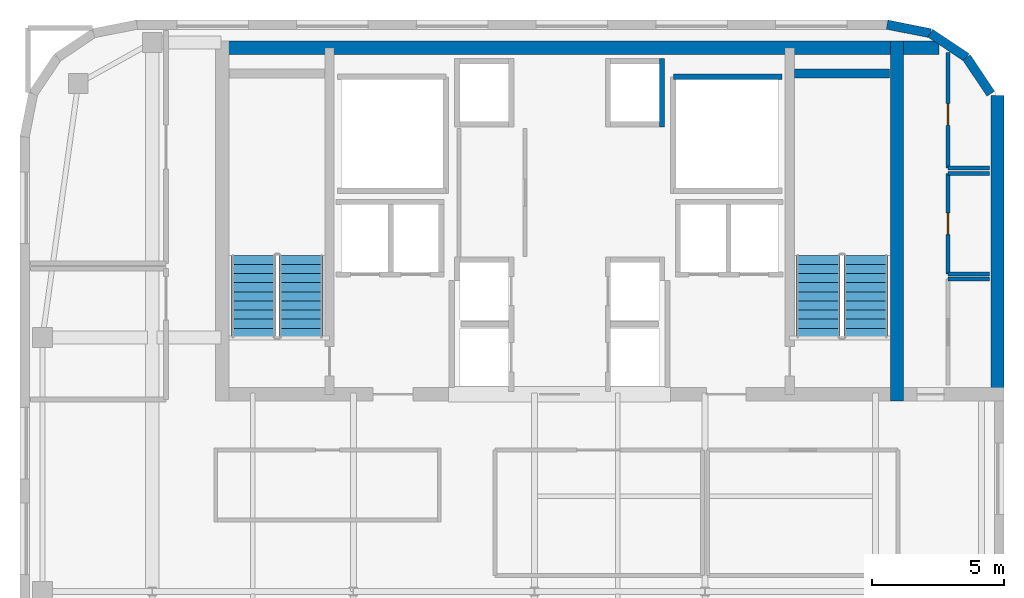
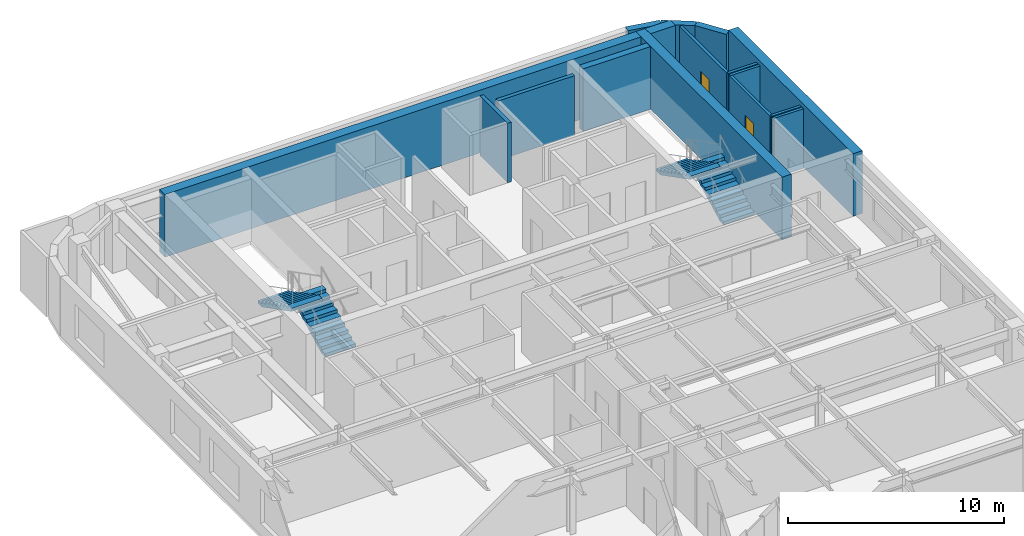
# One storey, part 7 of 8: 16 walls, 4 stair flights, 2 doors, 2 openings, 2 elements without a shape of their own.
"""IFC4 building model written with IfcOpenShell, lengths in metres."""

from ifc_helpers import new_model, si_unit, direction, frame, frame_2d, origin, place, context, subcontext, project, spatial, polyline, rectangle, outline, extrude, source, transform, mapped, material, layer, layer_set, type_object, type_shapes, element, fill, aggregate, save


model = new_model("IFC4")

# Units and contexts
model_context = context("Model", 3, precision=1e-05, world=origin(), true_north=direction((0.0, 1.0)))
body_context = subcontext(model_context, "Body", "Model", "MODEL_VIEW")
ifc_project = project(units=[si_unit("LENGTHUNIT", "METRE"), si_unit("AREAUNIT", "SQUARE_METRE"), si_unit("VOLUMEUNIT", "CUBIC_METRE"), si_unit("PLANEANGLEUNIT", "RADIAN"), si_unit("MASSUNIT", "GRAM", prefix="KILO")], contexts=[model_context])

# Site, building, storey
site_placement = place(None, origin())
site = spatial("IfcSite", under=ifc_project, at=site_placement, CompositionType="ELEMENT")
building_placement = place(site_placement, origin())
building = spatial("IfcBuilding", under=site, at=building_placement, Name="Tolvann Quenvar Hotel", CompositionType="ELEMENT")
storey_placement = place(building_placement, frame((0.0, 0.0, 231.0)))
storey = spatial("IfcBuildingStorey", under=building, at=storey_placement, Name="L61", CompositionType="ELEMENT", Elevation=231.0)

# Walls
ifc_material_1 = material(Name="Concrete N50 (50 MPa)", Category="concrete")
ifc_layer_1 = layer(ifc_material_1, 0.5)
ifc_layer_set_1 = layer_set([ifc_layer_1], Name="Concrete N50 (50 MPa)")
wall_type_1 = type_object("IfcWallType", Name="WALL_CORE_500", PredefinedType="SHEAR", material=ifc_layer_set_1)
wall_1_placement = place(storey_placement, frame((10.0, 44.949951171875, 0.0), z_axis=(0.0, 0.0, 1.0), x_axis=(1.0, 0.0, 0.0)))
element("IfcWall", 1, at=wall_1_placement, inside=storey, type_object=wall_type_1, Name="Rear Core N Shear Wall (L61)", PredefinedType="SHEAR", context=body_context, shape_type="SweptSolid", body=[
    extrude(rectangle(XDim=26.0, YDim=0.5, at=frame_2d((13.0, 0.0))), origin(), (0.0, 0.0, 1.0), 3.550048828125),
])
wall_2_placement = place(storey_placement, frame((35.75, 31.60009765625, 0.0), z_axis=(0.0, 0.0, 1.0), x_axis=(0.0, 1.0, 0.0)))
element("IfcWall", 2, at=wall_2_placement, inside=storey, type_object=wall_type_1, Name="Rear Core E Shear Wall (L61)", PredefinedType="SHEAR", context=body_context, shape_type="SweptSolid", body=[
    extrude(rectangle(XDim=13.599853515625, YDim=0.5, at=frame_2d((6.7998046875, 0.0))), origin(), (0.0, 0.0, 1.0), 3.550048828125),
])
wall_3_placement = place(storey_placement, frame((36.0, 44.949951171875, 0.0), z_axis=(0.0, 0.0, 1.0), x_axis=(1.0, 0.0, 0.0)))
element("IfcWall", 3, at=wall_3_placement, inside=storey, type_object=wall_type_1, Name="Core East Annex Shear Wall ANN-N (L61)", PredefinedType="SHEAR", context=body_context, shape_type="SweptSolid", body=[
    extrude(rectangle(XDim=1.35009765625, YDim=0.5, at=frame_2d((0.675048828125, 0.0))), origin(), (0.0, 0.0, 1.0), 3.550048828125),
])
wall_4_placement = place(storey_placement, frame((39.550048828125, 31.60009765625, 0.0), z_axis=(0.0, 0.0, 1.0), x_axis=(0.0, 1.0, 0.0)))
element("IfcWall", 4, at=wall_4_placement, inside=storey, type_object=wall_type_1, Name="Core East Annex Shear Wall ANN-E (L61)", PredefinedType="SHEAR", context=body_context, shape_type="SweptSolid", body=[
    extrude(rectangle(XDim=11.5498046875, YDim=0.5, at=frame_2d((5.77490234375, 0.0))), origin(), (0.0, 0.0, 1.0), 3.550048828125),
])
ifc_material_2 = material(Name="Concrete S65 (65 MPa)", Category="concrete")
ifc_layer_2 = layer(ifc_material_2, 0.35009765625)
ifc_layer_set_2 = layer_set([ifc_layer_2], Name="Concrete S65 (65 MPa)")
wall_type_2 = type_object("IfcWallType", Name="WALL_CORE_INT_350", PredefinedType="SHEAR", material=ifc_layer_set_2)
wall_5_placement = place(storey_placement, frame((31.8798828125, 43.97509765625, 0.0), z_axis=(0.0, 0.0, 1.0), x_axis=(1.0, 0.0, 0.0)))
element("IfcWall", 5, at=wall_5_placement, inside=storey, type_object=wall_type_2, Name="Core Stair North Closing Shear Wall STC2-N (L61)", PredefinedType="SHEAR", context=body_context, shape_type="SweptSolid", body=[
    extrude(rectangle(XDim=3.60009765625, YDim=0.35009765625, at=frame_2d((1.800048828125, 0.0))), origin(), (0.0, 0.0, 1.0), 3.550048828125),
])
ifc_material_3 = material(Name="Kiln-fired red and buff architectural clay brickwork and terracotta masonry", Category="masonry")
ifc_layer_3 = layer(ifc_material_3, 0.35009765625)
ifc_layer_set_3 = layer_set([ifc_layer_3], Name="Kiln-fired red and buff architectural clay brickwork and terracotta masonry")
wall_type_3 = type_object("IfcWallType", Name="WALL_EXT_BRICK_350", PredefinedType="SOLIDWALL", material=ifc_layer_set_3)
for number, where, z_axis, x_axis, name in (
    (6, (39.30029296875, 43.215576171875, 0.0), (0.0, 0.0, 1.0), (-0.555623290322, 0.831434158098, 0.0), "Exterior Chicago Brick Wall L61-E11"),
    (7, (38.385009765625, 44.585205078125, 0.0), (0.0, 0.0, 1.0), (-0.831502623162, 0.555520825599, 0.0), "Exterior Chicago Brick Wall L61-E12"),
):
    element("IfcWall", number, at=place(storey_placement, frame(where, z_axis=z_axis, x_axis=x_axis)), inside=storey, type_object=wall_type_3, Name=name, PredefinedType="SOLIDWALL", context=body_context, shape_type="SweptSolid", body=[
        extrude(rectangle(XDim=1.647216796875, YDim=0.35009765625, at=frame_2d((0.82373046875, 0.0))), origin(), (0.0, 0.0, 1.0), 3.3701171875),
    ])
wall_6_placement = place(storey_placement, frame((37.015380859375, 45.500244140625, 0.0), z_axis=(0.0, 0.0, 1.0), x_axis=(-0.980788844421, 0.195072403631, 0.0)))
element("IfcWall", 8, at=wall_6_placement, inside=storey, type_object=wall_type_3, Name="Exterior Chicago Brick Wall L61-E13", PredefinedType="SOLIDWALL", context=body_context, shape_type="SweptSolid", body=[
    extrude(rectangle(XDim=1.66455078125, YDim=0.35009765625, at=frame_2d((0.832275390625, 0.0))), origin(), (0.0, 0.0, 1.0), 3.3701171875),
])
ifc_material_4 = material(Name="Acoustic twin-stud fire-rated gypsum plasterboard partition")
ifc_layer_4 = layer(ifc_material_4, 0.14990234375)
ifc_layer_set_4 = layer_set([ifc_layer_4], Name="Acoustic twin-stud fire-rated gypsum plasterboard partition")
wall_type_4 = type_object("IfcWallType", Name="WALL_PART_SUITE_150", PredefinedType="PARTITIONING", material=ifc_layer_set_4)
for number, where, z_axis, x_axis, name in (
    (9, (37.679931640625, 36.199951171875, 0.0), (0.0, 0.0, 1.0), (1.0, 0.0, 0.0), "Interior Partition PT-SPC-L61-RECPL-1-N"),
    (10, (37.679931640625, 36.39990234375, 0.0), (0.0, 0.0, 1.0), (1.0, 0.0, 0.0), "Interior Partition PT-SPC-L61-CSE-1-S"),
    (11, (37.679931640625, 40.199951171875, 0.0), (0.0, 0.0, 1.0), (1.0, 0.0, 0.0), "Interior Partition PT-SPC-L61-CSE-1-N"),
):
    element("IfcWall", number, at=place(storey_placement, frame(where, z_axis=z_axis, x_axis=x_axis)), inside=storey, type_object=wall_type_4, Name=name, PredefinedType="PARTITIONING", context=body_context, shape_type="SweptSolid", body=[
        extrude(rectangle(XDim=1.565185546875, YDim=0.14990234375, at=frame_2d((0.78271484375, 0.0))), origin(), (0.0, 0.0, 1.0), 3.3701171875),
    ])

# Wall, opening, door
wall_7_placement = place(storey_placement, frame((37.679931640625, 36.39990234375, 0.0), z_axis=(0.0, 0.0, 1.0), x_axis=(0.0, 1.0, 0.0)))
wall_7 = element("IfcWall", 12, at=wall_7_placement, inside=storey, type_object=wall_type_4, Name="Interior Partition PT-SPC-L61-CSE-1-W", PredefinedType="PARTITIONING", context=body_context, shape_type="SweptSolid", body=[
    extrude(rectangle(XDim=3.800048828125, YDim=0.14990234375, at=frame_2d((1.89990234375, 0.0))), origin(), (0.0, 0.0, 1.0), 3.3701171875),
])
opening_1_placement = place(wall_7_placement, frame((1.489990234375, 0.0, 0.0)))
opening_1 = element("IfcOpeningElement", 13, at=opening_1_placement, cuts=wall_7, Name="Opening HD-02", PredefinedType="OPENING", context=body_context, shape_type="SweptSolid", body=[
    extrude(rectangle(XDim=0.820068359375, YDim=2.010009765625, at=frame_2d((0.41015625, 1.0048828125))), frame((0.0, 0.0849609375, 0.0), z_axis=(0.0, -1.0, 0.0), x_axis=(1.0, 0.0, 0.0)), (0.0, 0.0, 1.0), 0.169921875),
])
ifc_material_5 = material(Name="Pressed galvanised steel fire-rated door set", Category="steel")
door_type = type_object("IfcDoorType", Name="DOOR_STORE_820", OperationType="NOTDEFINED", PredefinedType="DOOR", material=ifc_material_5)
shared_shape = source(origin(), body_context, "Body", "SweptSolid", [
    extrude(rectangle(XDim=0.820068359375, YDim=2.010009765625, at=frame_2d((0.41015625, 1.0048828125))), frame((0.0, 0.02490234375, 0.0), z_axis=(0.0, -1.0, 0.0), x_axis=(1.0, 0.0, 0.0)), (0.0, 0.0, 1.0), 0.050048828125),
])
type_shapes(door_type, [shared_shape])
door_1_placement = place(opening_1_placement, origin())
door_1 = element("IfcDoor", 14, at=door_1_placement, inside=storey, type_object=door_type, Name="Interior Door DOOR-SPC-L61-CSE-1", OperationType="SINGLE_SWING_RIGHT", OverallHeight=2.010009765625, OverallWidth=0.820068359375, PredefinedType="DOOR", context=body_context, shape_type="MappedRepresentation", body=[
    mapped(shared_shape, transform((0.0, 0.0, 0.0), x_axis=(1.0, 0.0, 0.0), y_axis=(0.0, 1.0, 0.0), z_axis=(0.0, 0.0, 1.0), scale=1.0)),
])
fill(opening_1, door_1)

# Wall
wall_8_placement = place(storey_placement, frame((37.679931640625, 40.39990234375, 0.0), z_axis=(0.0, 0.0, 1.0), x_axis=(1.0, 0.0, 0.0)))
element("IfcWall", 15, at=wall_8_placement, inside=storey, type_object=wall_type_4, Name="Interior Partition PT-SPC-L61-CSE-2-S", PredefinedType="PARTITIONING", context=body_context, shape_type="SweptSolid", body=[
    extrude(rectangle(XDim=1.565185546875, YDim=0.14990234375, at=frame_2d((0.78271484375, 0.0))), origin(), (0.0, 0.0, 1.0), 3.3701171875),
])

# Wall, opening, door
wall_9_placement = place(storey_placement, frame((37.679931640625, 40.39990234375, 0.0), z_axis=(0.0, 0.0, 1.0), x_axis=(0.0, 1.0, 0.0)))
wall_9 = element("IfcWall", 16, at=wall_9_placement, inside=storey, type_object=wall_type_4, Name="Interior Partition PT-SPC-L61-CSE-2-W", PredefinedType="PARTITIONING", context=body_context, shape_type="SweptSolid", body=[
    extrude(rectangle(XDim=4.380126953125, YDim=0.14990234375, at=frame_2d((2.18994140625, 0.0))), origin(), (0.0, 0.0, 1.0), 3.3701171875),
])
opening_2_placement = place(wall_9_placement, frame((1.614990234375, 0.0, 0.0)))
opening_2 = element("IfcOpeningElement", 17, at=opening_2_placement, cuts=wall_9, Name="Opening HD-02", PredefinedType="OPENING", context=body_context, shape_type="SweptSolid", body=[
    extrude(rectangle(XDim=0.820068359375, YDim=2.010009765625, at=frame_2d((0.41015625, 1.0048828125))), frame((0.0, 0.0849609375, 0.0), z_axis=(0.0, -1.0, 0.0), x_axis=(1.0, 0.0, 0.0)), (0.0, 0.0, 1.0), 0.169921875),
])
door_2_placement = place(opening_2_placement, origin())
door_2 = element("IfcDoor", 18, at=door_2_placement, inside=storey, type_object=door_type, Name="Interior Door DOOR-SPC-L61-CSE-2", OperationType="SINGLE_SWING_LEFT", OverallHeight=2.010009765625, OverallWidth=0.820068359375, PredefinedType="DOOR", context=body_context, shape_type="MappedRepresentation", body=[
    mapped(shared_shape, transform((0.0, 0.0, 0.0), x_axis=(1.0, 0.0, 0.0), y_axis=(0.0, 1.0, 0.0), z_axis=(0.0, 0.0, 1.0), scale=1.0)),
])
fill(opening_2, door_2)

# Walls
ifc_material_6 = material(Name="Concrete N40 (40 MPa)", Category="concrete")
ifc_layer_5 = layer(ifc_material_6, 0.199951171875)
ifc_layer_set_5 = layer_set([ifc_layer_5], Name="Concrete N40 (40 MPa)")
wall_type_5 = type_object("IfcWallType", Name="WALL_SHAFT_200", PredefinedType="SOLIDWALL", material=ifc_layer_set_5)
wall_10_placement = place(storey_placement, frame((27.300048828125, 43.85009765625, 0.0), z_axis=(0.0, 0.0, 1.0), x_axis=(1.0, 0.0, 0.0)))
element("IfcWall", 19, at=wall_10_placement, inside=storey, type_object=wall_type_5, Name="Service Riser E Shaft Wall N (L61)", PredefinedType="SOLIDWALL", context=body_context, shape_type="SweptSolid", body=[
    extrude(rectangle(XDim=4.099853515625, YDim=0.199951171875, at=frame_2d((2.0498046875, 0.0))), origin(), (0.0, 0.0, 1.0), 3.3701171875),
])
wall_11_placement = place(storey_placement, frame((26.8701171875, 41.9599609375, 0.0), z_axis=(0.0, 0.0, 1.0), x_axis=(0.0, 1.0, 0.0)))
element("IfcWall", 20, at=wall_11_placement, inside=storey, type_object=wall_type_5, Name="Lift Bank W24.9C2 Hoistway Rear Wall (L61)", PredefinedType="SOLIDWALL", context=body_context, shape_type="SweptSolid", body=[
    extrude(rectangle(XDim=2.580078125, YDim=0.199951171875, at=frame_2d((1.2900390625, 0.0))), origin(), (0.0, 0.0, 1.0), 3.3701171875),
])

# Stair, stair flights
stair_type = type_object("IfcStairType", Name="STAIR", PredefinedType="HALF_TURN_STAIR", material=ifc_material_6)
stair_1_placement = place(storey_placement, origin())
stair_1 = element("IfcStair", 21, at=stair_1_placement, inside=storey, type_object=stair_type, Name="L61 ST-C1", PredefinedType="HALF_TURN_STAIR")
stair_flight_type = type_object("IfcStairFlightType", Name="STAIR_FLIGHT", PredefinedType="STRAIGHT", material=ifc_material_6)
stair_flight_1_placement = place(storey_placement, frame((13.22509765625, 34.0, 0.0), z_axis=(0.0, 0.0, 1.0), x_axis=(0.0, 1.0, 0.0)))
stair_flight_1 = element("IfcStairFlight", 22, at=stair_flight_1_placement, type_object=stair_flight_type, Name="ST-C1 flight 1", NumberOfRisers=10, NumberOfTreads=9, PredefinedType="STRAIGHT", RiserHeight=0.1775, TreadLength=0.345, context=body_context, shape_type="SweptSolid", body=[
    extrude(outline(polyline([(0.0, 0.0), (0.0, 0.177490234375), (0.344970703125, 0.177490234375), (0.344970703125, 0.35498046875), (0.68994140625, 0.35498046875), (0.68994140625, 0.532470703125), (1.034912109375, 0.532470703125), (1.034912109375, 0.7099609375), (1.3798828125, 0.7099609375), (1.3798828125, 0.887451171875), (1.72509765625, 0.887451171875), (1.72509765625, 1.06494140625), (2.070068359375, 1.06494140625), (2.070068359375, 1.242431640625), (2.4150390625, 1.242431640625), (2.4150390625, 1.419921875), (2.760009765625, 1.419921875), (2.760009765625, 1.597412109375), (3.10498046875, 1.597412109375), (3.10498046875, 1.77490234375), (3.10498046875, 1.428955078125), (0.32763671875, 0.0), (0.0, 0.0)])), frame((0.0, 0.824951171875, 0.0), z_axis=(0.0, -1.0, 0.0), x_axis=(1.0, 0.0, 0.0)), (0.0, 0.0, 1.0), 1.64990234375),
])
stair_flight_2_placement = place(storey_placement, frame((11.425048828125, 37.10498046875, 1.77490234375), z_axis=(0.0, 0.0, 1.0), x_axis=(0.0, -1.0, 0.0)))
stair_flight_2 = element("IfcStairFlight", 23, at=stair_flight_2_placement, type_object=stair_flight_type, Name="ST-C1 flight 2", NumberOfRisers=10, NumberOfTreads=9, PredefinedType="STRAIGHT", RiserHeight=0.1775, TreadLength=0.345, context=body_context, shape_type="SweptSolid", body=[
    extrude(outline(polyline([(0.0, 0.0), (0.0, 0.177490234375), (0.344970703125, 0.177490234375), (0.344970703125, 0.35498046875), (0.68994140625, 0.35498046875), (0.68994140625, 0.532470703125), (1.034912109375, 0.532470703125), (1.034912109375, 0.7099609375), (1.3798828125, 0.7099609375), (1.3798828125, 0.887451171875), (1.72509765625, 0.887451171875), (1.72509765625, 1.06494140625), (2.070068359375, 1.06494140625), (2.070068359375, 1.242431640625), (2.4150390625, 1.242431640625), (2.4150390625, 1.419921875), (2.760009765625, 1.419921875), (2.760009765625, 1.597412109375), (3.10498046875, 1.597412109375), (3.10498046875, 1.77490234375), (3.10498046875, 1.428955078125), (0.32763671875, 0.0), (0.0, 0.0)])), frame((0.0, 0.824951171875, 0.0), z_axis=(0.0, -1.0, 0.0), x_axis=(1.0, 0.0, 0.0)), (0.0, 0.0, 1.0), 1.64990234375),
])
aggregate(stair_1, [stair_flight_1, stair_flight_2])

stair_2_placement = place(storey_placement, origin())
stair_2 = element("IfcStair", 24, at=stair_2_placement, inside=storey, type_object=stair_type, Name="L61 ST-C2", PredefinedType="HALF_TURN_STAIR")
stair_flight_3_placement = place(storey_placement, frame((34.574951171875, 34.0, 0.0), z_axis=(0.0, 0.0, 1.0), x_axis=(0.0, 1.0, 0.0)))
stair_flight_3 = element("IfcStairFlight", 25, at=stair_flight_3_placement, type_object=stair_flight_type, Name="ST-C2 flight 1", NumberOfRisers=10, NumberOfTreads=9, PredefinedType="STRAIGHT", RiserHeight=0.1775, TreadLength=0.345, context=body_context, shape_type="SweptSolid", body=[
    extrude(outline(polyline([(0.0, 0.0), (0.0, 0.177490234375), (0.344970703125, 0.177490234375), (0.344970703125, 0.35498046875), (0.68994140625, 0.35498046875), (0.68994140625, 0.532470703125), (1.034912109375, 0.532470703125), (1.034912109375, 0.7099609375), (1.3798828125, 0.7099609375), (1.3798828125, 0.887451171875), (1.72509765625, 0.887451171875), (1.72509765625, 1.06494140625), (2.070068359375, 1.06494140625), (2.070068359375, 1.242431640625), (2.4150390625, 1.242431640625), (2.4150390625, 1.419921875), (2.760009765625, 1.419921875), (2.760009765625, 1.597412109375), (3.10498046875, 1.597412109375), (3.10498046875, 1.77490234375), (3.10498046875, 1.428955078125), (0.32763671875, 0.0), (0.0, 0.0)])), frame((0.0, 0.824951171875, 0.0), z_axis=(0.0, -1.0, 0.0), x_axis=(1.0, 0.0, 0.0)), (0.0, 0.0, 1.0), 1.64990234375),
])
stair_flight_4_placement = place(storey_placement, frame((32.77490234375, 37.10498046875, 1.77490234375), z_axis=(0.0, 0.0, 1.0), x_axis=(0.0, -1.0, 0.0)))
stair_flight_4 = element("IfcStairFlight", 26, at=stair_flight_4_placement, type_object=stair_flight_type, Name="ST-C2 flight 2", NumberOfRisers=10, NumberOfTreads=9, PredefinedType="STRAIGHT", RiserHeight=0.1775, TreadLength=0.345, context=body_context, shape_type="SweptSolid", body=[
    extrude(outline(polyline([(0.0, 0.0), (0.0, 0.177490234375), (0.344970703125, 0.177490234375), (0.344970703125, 0.35498046875), (0.68994140625, 0.35498046875), (0.68994140625, 0.532470703125), (1.034912109375, 0.532470703125), (1.034912109375, 0.7099609375), (1.3798828125, 0.7099609375), (1.3798828125, 0.887451171875), (1.72509765625, 0.887451171875), (1.72509765625, 1.06494140625), (2.070068359375, 1.06494140625), (2.070068359375, 1.242431640625), (2.4150390625, 1.242431640625), (2.4150390625, 1.419921875), (2.760009765625, 1.419921875), (2.760009765625, 1.597412109375), (3.10498046875, 1.597412109375), (3.10498046875, 1.77490234375), (3.10498046875, 1.428955078125), (0.32763671875, 0.0), (0.0, 0.0)])), frame((0.0, 0.824951171875, 0.0), z_axis=(0.0, -1.0, 0.0), x_axis=(1.0, 0.0, 0.0)), (0.0, 0.0, 1.0), 1.64990234375),
])
aggregate(stair_2, [stair_flight_3, stair_flight_4])

save(model, "model.ifc")
